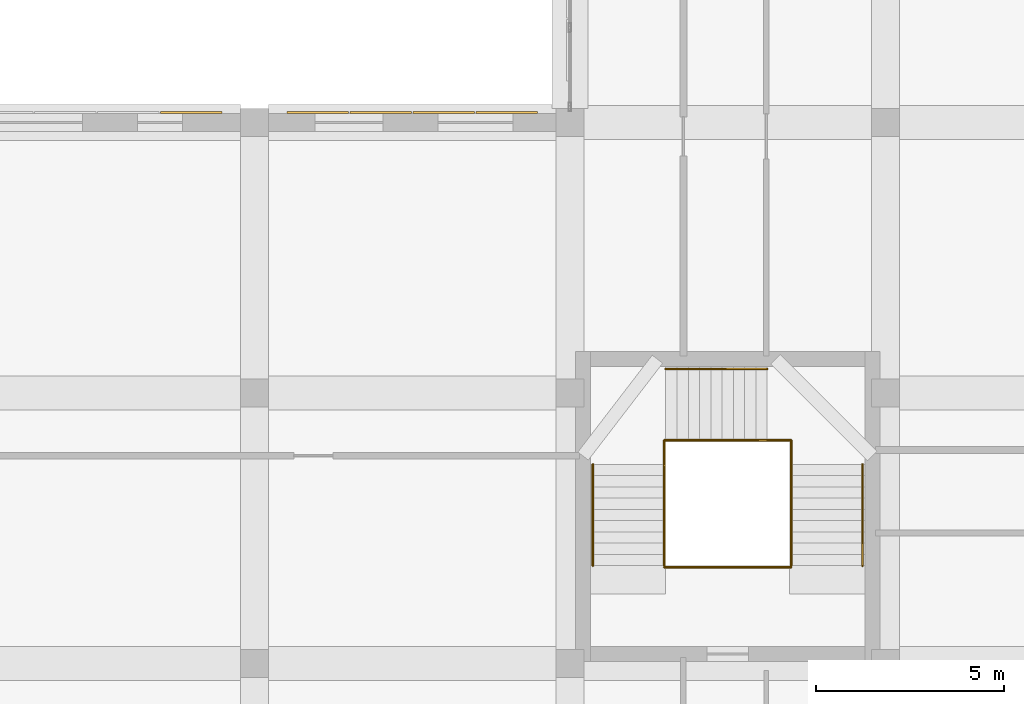
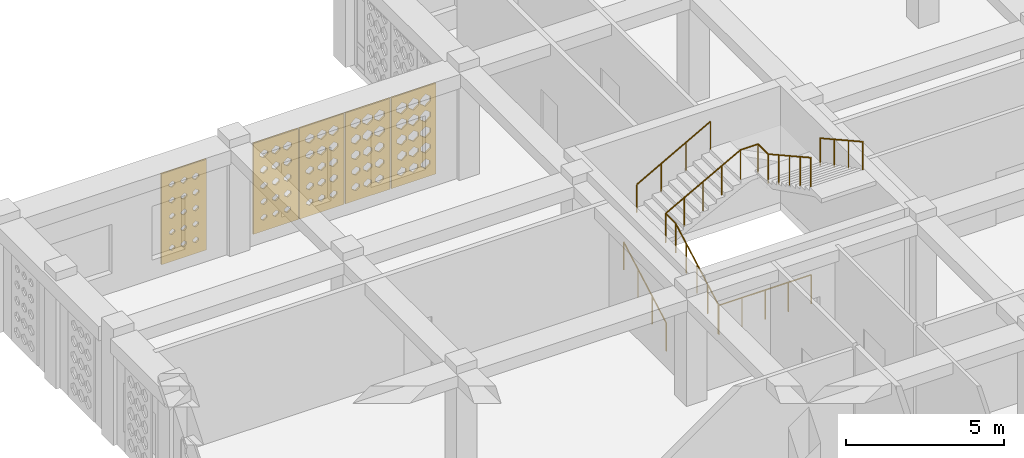
# One storey, part 104 of 121: 7 railings, 5 coverings.
"""IFC4 building model written with IfcOpenShell, lengths in metres."""

from ifc_helpers import new_model, si_unit, derived_unit, direction, frame, origin, origin_2d, place, context, subcontext, project, spatial, polyline, circle, outline, extrude, material, layer, layer_set, type_object, element, save


model = new_model("IFC4")

# Units and contexts
model_context = context("Model", 3, precision=1e-05, world=origin(), true_north=direction((0.0, 1.0)))
body_context = subcontext(model_context, "Body", "Model", "MODEL_VIEW")
ifc_project = project(units=[si_unit("LENGTHUNIT", "METRE"), si_unit("AREAUNIT", "SQUARE_METRE"), si_unit("VOLUMEUNIT", "CUBIC_METRE"), si_unit("PLANEANGLEUNIT", "RADIAN"), si_unit("MASSUNIT", "GRAM", prefix="KILO"), derived_unit("THERMALTRANSMITTANCEUNIT", [(si_unit("POWERUNIT", "WATT"), 1), (si_unit("LENGTHUNIT", "METRE"), -2), (si_unit("THERMODYNAMICTEMPERATUREUNIT", "KELVIN"), -1)])], contexts=[model_context])

# Site, building, storey
site_placement = place(None, origin())
site = spatial("IfcSite", under=ifc_project, at=site_placement, CompositionType="ELEMENT")
building_placement = place(site_placement, origin())
building = spatial("IfcBuilding", under=site, at=building_placement, Name="Veybourne Emporium", CompositionType="ELEMENT")
storey_placement = place(building_placement, frame((0.0, 0.0, 5.39990234375)))
storey = spatial("IfcBuildingStorey", under=building, at=storey_placement, Name="L01", CompositionType="ELEMENT", Elevation=5.39990234375)

# Railings
ifc_material_1 = material(Name="Brushed Stainless Steel", Category="steel")
railing_type_1 = type_object("IfcRailingType", Name="Guard_GR-01", PredefinedType="GUARDRAIL", material=ifc_material_1)
railing_1_placement = place(storey_placement, frame((19.31005859375, 67.39990234375, 0.0)))
element("IfcRailing", 1, at=railing_1_placement, inside=storey, type_object=railing_type_1, Name="L01 ST-08 stair guard 1", PredefinedType="GUARDRAIL", context=body_context, shape_type="SweptSolid", body=[
    extrude(circle(Radius=0.02392578125, at=origin_2d()), frame((0.0, 0.0, 1.1259765625), z_axis=(0.0, 0.874172188743, 0.48561608749), x_axis=(-1.0, 0.0, 0.0)), (0.0, 0.0, 1.0), 3.0888671875),
    extrude(circle(Radius=0.02392578125, at=origin_2d()), frame((0.0, 2.7001953125, 2.6259765625), z_axis=(0.0, 1.0, 0.0), x_axis=(-1.0, 0.0, 0.0)), (0.0, 0.0, 1.0), 0.639892578125),
    extrude(circle(Radius=0.02099609375, at=origin_2d()), origin(), (0.0, 0.0, 1.0), 1.101806640625),
    extrude(circle(Radius=0.02099609375, at=origin_2d()), frame((0.0, 0.675048828125, 0.375)), (0.0, 0.0, 1.0), 1.101806640625),
    extrude(circle(Radius=0.02099609375, at=origin_2d()), frame((0.0, 1.35009765625, 0.75)), (0.0, 0.0, 1.0), 1.101806640625),
    extrude(circle(Radius=0.02099609375, at=origin_2d()), frame((0.0, 2.025146484375, 1.125)), (0.0, 0.0, 1.0), 1.101806640625),
    extrude(circle(Radius=0.02099609375, at=origin_2d()), frame((0.0, 2.7001953125, 1.5)), (0.0, 0.0, 1.0), 1.101806640625),
    extrude(circle(Radius=0.02099609375, at=origin_2d()), frame((0.0, 3.340087890625, 1.5)), (0.0, 0.0, 1.0), 1.101806640625),
])
railing_2_placement = place(storey_placement, frame((19.31005859375, 70.739990234375, 1.5)))
element("IfcRailing", 2, at=railing_2_placement, inside=storey, type_object=railing_type_1, Name="L01 ST-08 stair guard 2", PredefinedType="GUARDRAIL", context=body_context, shape_type="SweptSolid", body=[
    extrude(circle(Radius=0.02392578125, at=origin_2d()), frame((0.0, 0.0, 1.1259765625), z_axis=(0.87715976088, 0.0, 0.480198660861), x_axis=(0.0, 1.0, 0.0)), (0.0, 0.0, 1.0), 3.123779296875),
    extrude(circle(Radius=0.02392578125, at=origin_2d()), frame((2.739990234375, 0.0, 2.6259765625), z_axis=(1.0, 0.0, 0.0), x_axis=(0.0, 1.0, 0.0)), (0.0, 0.0, 1.0), 0.639892578125),
    extrude(circle(Radius=0.02099609375, at=origin_2d()), origin(), (0.0, 0.0, 1.0), 1.101806640625),
    extrude(circle(Radius=0.02099609375, at=origin_2d()), frame((0.68505859375, 0.0, 0.375)), (0.0, 0.0, 1.0), 1.101806640625),
    extrude(circle(Radius=0.02099609375, at=origin_2d()), frame((1.3701171875, 0.0, 0.75)), (0.0, 0.0, 1.0), 1.101806640625),
    extrude(circle(Radius=0.02099609375, at=origin_2d()), frame((2.054931640625, 0.0, 1.125)), (0.0, 0.0, 1.0), 1.101806640625),
    extrude(circle(Radius=0.02099609375, at=origin_2d()), frame((2.739990234375, 0.0, 1.5)), (0.0, 0.0, 1.0), 1.101806640625),
    extrude(circle(Radius=0.02099609375, at=origin_2d()), frame((3.3798828125, 0.0, 1.5)), (0.0, 0.0, 1.0), 1.101806640625),
])
railing_3_placement = place(storey_placement, frame((22.68994140625, 70.739990234375, 3.0)))
element("IfcRailing", 3, at=railing_3_placement, inside=storey, type_object=railing_type_1, Name="L01 ST-08 stair guard 3", PredefinedType="GUARDRAIL", context=body_context, shape_type="SweptSolid", body=[
    extrude(circle(Radius=0.02392578125, at=origin_2d()), frame((0.0, 0.0, 1.1259765625), z_axis=(0.0, -1.0, 0.0), x_axis=(1.0, 0.0, 0.0)), (0.0, 0.0, 1.0), 0.639892578125),
    extrude(circle(Radius=0.02392578125, at=origin_2d()), frame((0.0, -0.639892578125, 1.1259765625), z_axis=(0.0, -0.874172188743, 0.48561608749), x_axis=(1.0, 0.0, 0.0)), (0.0, 0.0, 1.0), 3.0888671875),
    extrude(circle(Radius=0.02099609375, at=origin_2d()), origin(), (0.0, 0.0, 1.0), 1.101806640625),
    extrude(circle(Radius=0.02099609375, at=origin_2d()), frame((0.0, -0.639892578125, 0.0)), (0.0, 0.0, 1.0), 1.101806640625),
    extrude(circle(Radius=0.02099609375, at=origin_2d()), frame((0.0, -1.31494140625, 0.375)), (0.0, 0.0, 1.0), 1.101806640625),
    extrude(circle(Radius=0.02099609375, at=origin_2d()), frame((0.0, -1.989990234375, 0.75)), (0.0, 0.0, 1.0), 1.101806640625),
    extrude(circle(Radius=0.02099609375, at=origin_2d()), frame((0.0, -2.6650390625, 1.125)), (0.0, 0.0, 1.0), 1.101806640625),
    extrude(circle(Radius=0.02099609375, at=origin_2d()), frame((0.0, -3.340087890625, 1.5)), (0.0, 0.0, 1.0), 1.101806640625),
])
railing_4_placement = place(storey_placement, frame((19.31005859375, 67.360107421875, 0.0)))
element("IfcRailing", 4, at=railing_4_placement, inside=storey, type_object=railing_type_1, Name="L01 ST-08 stair guard 4", PredefinedType="GUARDRAIL", context=body_context, shape_type="SweptSolid", body=[
    extrude(circle(Radius=0.02392578125, at=origin_2d()), frame((0.0, 0.0, 1.1259765625), z_axis=(1.0, 0.0, 0.0), x_axis=(0.0, 1.0, 0.0)), (0.0, 0.0, 1.0), 3.3798828125),
    extrude(circle(Radius=0.02099609375, at=origin_2d()), origin(), (0.0, 0.0, 1.0), 1.101806640625),
    extrude(circle(Radius=0.02099609375, at=origin_2d()), frame((0.844970703125, 0.0, 0.0)), (0.0, 0.0, 1.0), 1.101806640625),
    extrude(circle(Radius=0.02099609375, at=origin_2d()), frame((1.68994140625, 0.0, 0.0)), (0.0, 0.0, 1.0), 1.101806640625),
    extrude(circle(Radius=0.02099609375, at=origin_2d()), frame((2.534912109375, 0.0, 0.0)), (0.0, 0.0, 1.0), 1.101806640625),
    extrude(circle(Radius=0.02099609375, at=origin_2d()), frame((3.3798828125, 0.0, 0.0)), (0.0, 0.0, 1.0), 1.101806640625),
])
railing_type_2 = type_object("IfcRailingType", Name="Handrail_HR-01", PredefinedType="HANDRAIL", material=ifc_material_1)
railing_5_placement = place(storey_placement, frame((17.409912109375, 67.39990234375, 0.150146484375)))
element("IfcRailing", 5, at=railing_5_placement, inside=storey, type_object=railing_type_2, Name="L01 ST-08 pitch handrail 1", PredefinedType="HANDRAIL", context=body_context, shape_type="SweptSolid", body=[
    extrude(circle(Radius=0.02392578125, at=origin_2d()), frame((0.0, 0.0, 0.92578125), z_axis=(0.0, 0.874172188743, 0.48561608749), x_axis=(-1.0, 0.0, 0.0)), (0.0, 0.0, 1.0), 3.0888671875),
    extrude(circle(Radius=0.02099609375, at=origin_2d()), frame((0.0, 0.0, -0.14990234375)), (0.0, 0.0, 1.0), 1.0517578125),
    extrude(circle(Radius=0.02099609375, at=origin_2d()), frame((0.0, 0.900146484375, 0.35009765625)), (0.0, 0.0, 1.0), 1.0517578125),
    extrude(circle(Radius=0.02099609375, at=origin_2d()), frame((0.0, 1.800048828125, 0.85009765625)), (0.0, 0.0, 1.0), 1.0517578125),
    extrude(circle(Radius=0.02099609375, at=origin_2d()), frame((0.0, 2.7001953125, 1.35009765625)), (0.0, 0.0, 1.0), 1.0517578125),
])
railing_6_placement = place(storey_placement, frame((19.35009765625, 72.639892578125, 1.650146484375)))
element("IfcRailing", 6, at=railing_6_placement, inside=storey, type_object=railing_type_2, Name="L01 ST-08 pitch handrail 2", PredefinedType="HANDRAIL", context=body_context, shape_type="SweptSolid", body=[
    extrude(circle(Radius=0.02392578125, at=origin_2d()), frame((0.0, 0.0, 0.92578125), z_axis=(0.87415354758, 0.0, 0.485649642493), x_axis=(0.0, 1.0, 0.0)), (0.0, 0.0, 1.0), 3.088623046875),
    extrude(circle(Radius=0.02099609375, at=origin_2d()), frame((0.0, 0.0, -0.14990234375)), (0.0, 0.0, 1.0), 1.0517578125),
    extrude(circle(Radius=0.02099609375, at=origin_2d()), frame((0.89990234375, 0.0, 0.35009765625)), (0.0, 0.0, 1.0), 1.0517578125),
    extrude(circle(Radius=0.02099609375, at=origin_2d()), frame((1.800048828125, 0.0, 0.85009765625)), (0.0, 0.0, 1.0), 1.0517578125),
    extrude(circle(Radius=0.02099609375, at=origin_2d()), frame((2.699951171875, 0.0, 1.35009765625)), (0.0, 0.0, 1.0), 1.0517578125),
])
railing_7_placement = place(storey_placement, frame((24.590087890625, 70.10009765625, 3.150146484375)))
element("IfcRailing", 7, at=railing_7_placement, inside=storey, type_object=railing_type_2, Name="L01 ST-08 pitch handrail 3", PredefinedType="HANDRAIL", context=body_context, shape_type="SweptSolid", body=[
    extrude(circle(Radius=0.02392578125, at=origin_2d()), frame((0.0, 0.0, 0.92578125), z_axis=(0.0, -0.874172188743, 0.48561608749), x_axis=(1.0, 0.0, 0.0)), (0.0, 0.0, 1.0), 3.0888671875),
    extrude(circle(Radius=0.02099609375, at=origin_2d()), frame((0.0, 0.0, -0.14990234375)), (0.0, 0.0, 1.0), 1.0517578125),
    extrude(circle(Radius=0.02099609375, at=origin_2d()), frame((0.0, -0.900146484375, 0.35009765625)), (0.0, 0.0, 1.0), 1.0517578125),
    extrude(circle(Radius=0.02099609375, at=origin_2d()), frame((0.0, -1.800048828125, 0.85009765625)), (0.0, 0.0, 1.0), 1.0517578125),
    extrude(circle(Radius=0.02099609375, at=origin_2d()), frame((0.0, -2.7001953125, 1.35009765625)), (0.0, 0.0, 1.0), 1.0517578125),
])

# Coverings
ifc_material_2 = material(Name="Warm-White Perforated Aluminium Screen Alloy", Category="aluminium")
ifc_layer_1 = layer(ifc_material_2, 0.06005859375)
ifc_layer_set_1 = layer_set([ifc_layer_1], Name="Warm-White Perforated Aluminium Screen Alloy")
covering_type_1 = type_object("IfcCoveringType", Name="WaveScreen_SCR-01", PredefinedType="CLADDING", material=ifc_layer_set_1)
covering_1_placement = place(storey_placement, frame((11.760009765625, 79.498046875, 1.815185546875), z_axis=(0.0, -1.0, 0.0), x_axis=(1.0, 0.0, 0.0)))
element("IfcCovering", 8, at=covering_1_placement, inside=storey, type_object=covering_type_1, Name="L01 wave-perforated aluminium screen SCR-01 (13.2)", PredefinedType="CLADDING", context=body_context, shape_type="SweptSolid", body=[
    extrude(outline(polyline([(-0.81982421875, -1.7548828125), (0.81982421875, -1.7548828125), (0.81982421875, 1.7548828125), (-0.81982421875, 1.7548828125), (-0.81982421875, -1.7548828125)]), holes=[polyline([(-0.433349609375, -1.096435546875), (-0.315673828125, -1.1806640625), (-0.315673828125, -1.275390625), (-0.433349609375, -1.359619140625), (-0.551025390625, -1.275390625), (-0.551025390625, -1.1806640625), (-0.433349609375, -1.096435546875)]), polyline([(-0.433349609375, -0.471923828125), (-0.30712890625, -0.56298828125), (-0.30712890625, -0.6650390625), (-0.433349609375, -0.756103515625), (-0.5595703125, -0.6650390625), (-0.5595703125, -0.56298828125), (-0.433349609375, -0.471923828125)]), polyline([(-0.433349609375, 0.15380859375), (-0.29736328125, 0.055419921875), (-0.29736328125, -0.055419921875), (-0.433349609375, -0.15380859375), (-0.5693359375, -0.055419921875), (-0.5693359375, 0.055419921875), (-0.433349609375, 0.15380859375)]), polyline([(-0.433349609375, 0.781005859375), (-0.28662109375, 0.674072265625), (-0.28662109375, 0.553955078125), (-0.433349609375, 0.447021484375), (-0.580078125, 0.553955078125), (-0.580078125, 0.674072265625), (-0.433349609375, 0.781005859375)]), polyline([(-0.433349609375, 1.40869140625), (-0.275390625, 1.293212890625), (-0.275390625, 1.162841796875), (-0.433349609375, 1.047119140625), (-0.59130859375, 1.162841796875), (-0.59130859375, 1.293212890625), (-0.433349609375, 1.40869140625)]), polyline([(0.0, -1.091796875), (0.121337890625, -1.178955078125), (0.121337890625, -1.277099609375), (0.0, -1.364013671875), (-0.121337890625, -1.277099609375), (-0.121337890625, -1.178955078125), (0.0, -1.091796875)]), polyline([(0.0, -0.466796875), (0.130615234375, -0.56103515625), (0.130615234375, -0.6669921875), (0.0, -0.76123046875), (-0.130615234375, -0.6669921875), (-0.130615234375, -0.56103515625), (0.0, -0.466796875)]), polyline([(0.0, 0.15966796875), (0.140625, 0.0576171875), (0.140625, -0.0576171875), (0.0, -0.15966796875), (-0.140625, -0.0576171875), (-0.140625, 0.0576171875), (0.0, 0.15966796875)]), polyline([(0.0, 0.787109375), (0.151611328125, 0.67626953125), (0.151611328125, 0.5517578125), (0.0, 0.44091796875), (-0.151611328125, 0.5517578125), (-0.151611328125, 0.67626953125), (0.0, 0.787109375)]), polyline([(0.0, 1.415283203125), (0.1630859375, 1.29541015625), (0.1630859375, 1.16064453125), (0.0, 1.040771484375), (-0.1630859375, 1.16064453125), (-0.1630859375, 1.29541015625), (0.0, 1.415283203125)]), polyline([(0.433349609375, -1.0869140625), (0.55859375, -1.17724609375), (0.55859375, -1.27880859375), (0.433349609375, -1.368896484375), (0.30810546875, -1.27880859375), (0.30810546875, -1.17724609375), (0.433349609375, -1.0869140625)]), polyline([(0.433349609375, -0.461181640625), (0.568359375, -0.55908203125), (0.568359375, -0.6689453125), (0.433349609375, -0.766845703125), (0.29833984375, -0.6689453125), (0.29833984375, -0.55908203125), (0.433349609375, -0.461181640625)]), polyline([(0.433349609375, 0.165771484375), (0.578857421875, 0.059814453125), (0.578857421875, -0.059814453125), (0.433349609375, -0.165771484375), (0.28759765625, -0.059814453125), (0.28759765625, 0.059814453125), (0.433349609375, 0.165771484375)]), polyline([(0.433349609375, 0.79345703125), (0.590087890625, 0.6787109375), (0.590087890625, 0.54931640625), (0.433349609375, 0.4345703125), (0.276611328125, 0.54931640625), (0.276611328125, 0.6787109375), (0.433349609375, 0.79345703125)]), polyline([(0.433349609375, 1.421630859375), (0.601806640625, 1.297607421875), (0.601806640625, 1.158203125), (0.433349609375, 1.034423828125), (0.264892578125, 1.158203125), (0.264892578125, 1.297607421875), (0.433349609375, 1.421630859375)])]), origin(), (0.0, 0.0, 1.0), 0.06005859375),
])
ifc_layer_2 = layer(ifc_material_2, 0.06005859375)
ifc_layer_set_2 = layer_set([ifc_layer_2], Name="Warm-White Perforated Aluminium Screen Alloy")
covering_type_2 = type_object("IfcCoveringType", Name="WaveScreen_SCR-02", PredefinedType="CLADDING", material=ifc_layer_set_2)
covering_2_placement = place(storey_placement, frame((13.43994140625, 79.498046875, 1.815185546875), z_axis=(0.0, -1.0, 0.0), x_axis=(1.0, 0.0, 0.0)))
element("IfcCovering", 9, at=covering_2_placement, inside=storey, type_object=covering_type_2, Name="L01 wave-perforated aluminium screen SCR-02 (13.3)", PredefinedType="CLADDING", context=body_context, shape_type="SweptSolid", body=[
    extrude(outline(polyline([(-0.81982421875, -1.7548828125), (0.81982421875, -1.7548828125), (0.81982421875, 1.7548828125), (-0.81982421875, 1.7548828125), (-0.81982421875, -1.7548828125)]), holes=[polyline([(-0.433349609375, -1.076904296875), (-0.2998046875, -1.173583984375), (-0.2998046875, -1.2822265625), (-0.433349609375, -1.37890625), (-0.56689453125, -1.2822265625), (-0.56689453125, -1.173583984375), (-0.433349609375, -1.076904296875)]), polyline([(-0.433349609375, -0.4501953125), (-0.289306640625, -0.554931640625), (-0.289306640625, -0.673095703125), (-0.433349609375, -0.77783203125), (-0.577392578125, -0.673095703125), (-0.577392578125, -0.554931640625), (-0.433349609375, -0.4501953125)]), polyline([(-0.433349609375, 0.177490234375), (-0.2783203125, 0.06396484375), (-0.2783203125, -0.06396484375), (-0.433349609375, -0.177490234375), (-0.58837890625, -0.06396484375), (-0.58837890625, 0.06396484375), (-0.433349609375, 0.177490234375)]), polyline([(-0.433349609375, 0.805419921875), (-0.2666015625, 0.682861328125), (-0.2666015625, 0.545166015625), (-0.433349609375, 0.422607421875), (-0.60009765625, 0.545166015625), (-0.60009765625, 0.682861328125), (-0.433349609375, 0.805419921875)]), polyline([(-0.433349609375, 1.43359375), (-0.255126953125, 1.302001953125), (-0.255126953125, 1.154052734375), (-0.433349609375, 1.0224609375), (-0.611572265625, 1.154052734375), (-0.611572265625, 1.302001953125), (-0.433349609375, 1.43359375)]), polyline([(0.0, -1.0712890625), (0.13818359375, -1.171630859375), (0.13818359375, -1.284423828125), (0.0, -1.384521484375), (-0.13818359375, -1.284423828125), (-0.13818359375, -1.171630859375), (0.0, -1.0712890625)]), polyline([(0.0, -0.444091796875), (0.14892578125, -0.552734375), (0.14892578125, -0.67529296875), (0.0, -0.783935546875), (-0.14892578125, -0.67529296875), (-0.14892578125, -0.552734375), (0.0, -0.444091796875)]), polyline([(0.0, 0.183837890625), (0.160400390625, 0.066162109375), (0.160400390625, -0.066162109375), (0.0, -0.183837890625), (-0.160400390625, -0.066162109375), (-0.160400390625, 0.066162109375), (0.0, 0.183837890625)]), polyline([(0.0, 0.81201171875), (0.172119140625, 0.685302734375), (0.172119140625, 0.542724609375), (0.0, 0.416015625), (-0.172119140625, 0.542724609375), (-0.172119140625, 0.685302734375), (0.0, 0.81201171875)]), polyline([(0.0, 1.43994140625), (0.183349609375, 1.30419921875), (0.183349609375, 1.151611328125), (0.0, 1.01611328125), (-0.183349609375, 1.151611328125), (-0.183349609375, 1.30419921875), (0.0, 1.43994140625)]), polyline([(0.433349609375, -1.0654296875), (0.576416015625, -1.16943359375), (0.576416015625, -1.28662109375), (0.433349609375, -1.390380859375), (0.290283203125, -1.28662109375), (0.290283203125, -1.16943359375), (0.433349609375, -1.0654296875)]), polyline([(0.433349609375, -0.43798828125), (0.58740234375, -0.550537109375), (0.58740234375, -0.677490234375), (0.433349609375, -0.7900390625), (0.279296875, -0.677490234375), (0.279296875, -0.550537109375), (0.433349609375, -0.43798828125)]), polyline([(0.433349609375, 0.190185546875), (0.598876953125, 0.068603515625), (0.598876953125, -0.068603515625), (0.433349609375, -0.190185546875), (0.267578125, -0.068603515625), (0.267578125, 0.068603515625), (0.433349609375, 0.190185546875)]), polyline([(0.433349609375, 0.818359375), (0.610595703125, 0.6875), (0.610595703125, 0.540283203125), (0.433349609375, 0.40966796875), (0.256103515625, 0.540283203125), (0.256103515625, 0.6875), (0.433349609375, 0.818359375)]), polyline([(0.433349609375, 1.446044921875), (0.61962890625, 1.306396484375), (0.61962890625, 1.1494140625), (0.433349609375, 1.010009765625), (0.2470703125, 1.1494140625), (0.2470703125, 1.306396484375), (0.433349609375, 1.446044921875)])]), origin(), (0.0, 0.0, 1.0), 0.06005859375),
])
ifc_layer_3 = layer(ifc_material_2, 0.06005859375)
ifc_layer_set_3 = layer_set([ifc_layer_3], Name="Warm-White Perforated Aluminium Screen Alloy")
covering_type_3 = type_object("IfcCoveringType", Name="WaveScreen_SCR-03", PredefinedType="CLADDING", material=ifc_layer_set_3)
covering_3_placement = place(storey_placement, frame((15.1201171875, 79.498046875, 1.815185546875), z_axis=(0.0, -1.0, 0.0), x_axis=(1.0, 0.0, 0.0)))
element("IfcCovering", 10, at=covering_3_placement, inside=storey, type_object=covering_type_3, Name="L01 wave-perforated aluminium screen SCR-03 (13.4)", PredefinedType="CLADDING", context=body_context, shape_type="SweptSolid", body=[
    extrude(outline(polyline([(-0.81982421875, -1.7548828125), (0.81982421875, -1.7548828125), (0.81982421875, 1.7548828125), (-0.81982421875, 1.7548828125), (-0.81982421875, -1.7548828125)]), holes=[polyline([(-0.433349609375, -1.053955078125), (-0.281005859375, -1.165283203125), (-0.281005859375, -1.290771484375), (-0.433349609375, -1.402099609375), (-0.585693359375, -1.290771484375), (-0.585693359375, -1.165283203125), (-0.433349609375, -1.053955078125)]), polyline([(-0.433349609375, -0.42578125), (-0.269287109375, -0.54638671875), (-0.269287109375, -0.681640625), (-0.433349609375, -0.802001953125), (-0.59716796875, -0.681640625), (-0.59716796875, -0.54638671875), (-0.433349609375, -0.42578125)]), polyline([(-0.433349609375, 0.202392578125), (-0.2578125, 0.07275390625), (-0.2578125, -0.07275390625), (-0.433349609375, -0.202392578125), (-0.60888671875, -0.07275390625), (-0.60888671875, 0.07275390625), (-0.433349609375, 0.202392578125)]), polyline([(-0.433349609375, 0.830078125), (-0.2470703125, 0.69189453125), (-0.2470703125, 0.5361328125), (-0.433349609375, 0.39794921875), (-0.61962890625, 0.5361328125), (-0.61962890625, 0.69189453125), (-0.433349609375, 0.830078125)]), polyline([(-0.433349609375, 1.457275390625), (-0.2470703125, 1.310546875), (-0.2470703125, 1.1455078125), (-0.433349609375, 0.998779296875), (-0.61962890625, 1.1455078125), (-0.61962890625, 1.310546875), (-0.433349609375, 1.457275390625)]), polyline([(0.0, -1.047607421875), (0.15771484375, -1.1630859375), (0.15771484375, -1.29296875), (0.0, -1.408447265625), (-0.15771484375, -1.29296875), (-0.15771484375, -1.1630859375), (0.0, -1.047607421875)]), polyline([(0.0, -0.41943359375), (0.169189453125, -0.5439453125), (0.169189453125, -0.68408203125), (0.0, -0.80859375), (-0.169189453125, -0.68408203125), (-0.169189453125, -0.5439453125), (0.0, -0.41943359375)]), polyline([(0.0, 0.20849609375), (0.1806640625, 0.0751953125), (0.1806640625, -0.0751953125), (0.0, -0.20849609375), (-0.1806640625, -0.0751953125), (-0.1806640625, 0.0751953125), (0.0, 0.20849609375)]), polyline([(0.0, 0.836181640625), (0.186279296875, 0.694091796875), (0.186279296875, 0.533935546875), (0.0, 0.391845703125), (-0.186279296875, 0.533935546875), (-0.186279296875, 0.694091796875), (0.0, 0.836181640625)]), polyline([(0.0, 1.462890625), (0.186279296875, 1.3125), (0.186279296875, 1.143310546875), (0.0, 0.9931640625), (-0.186279296875, 1.143310546875), (-0.186279296875, 1.3125), (0.0, 1.462890625)]), polyline([(0.433349609375, -1.041259765625), (0.59619140625, -1.160888671875), (0.59619140625, -1.295166015625), (0.433349609375, -1.414794921875), (0.2705078125, -1.295166015625), (0.2705078125, -1.160888671875), (0.433349609375, -1.041259765625)]), polyline([(0.433349609375, -0.4130859375), (0.607666015625, -0.541748046875), (0.607666015625, -0.686279296875), (0.433349609375, -0.81494140625), (0.2587890625, -0.686279296875), (0.2587890625, -0.541748046875), (0.433349609375, -0.4130859375)]), polyline([(0.433349609375, 0.21484375), (0.619140625, 0.077392578125), (0.619140625, -0.077392578125), (0.433349609375, -0.21484375), (0.24755859375, -0.077392578125), (0.24755859375, 0.077392578125), (0.433349609375, 0.21484375)]), polyline([(0.433349609375, 0.842041015625), (0.61962890625, 0.696044921875), (0.61962890625, 0.531982421875), (0.433349609375, 0.385986328125), (0.2470703125, 0.531982421875), (0.2470703125, 0.696044921875), (0.433349609375, 0.842041015625)]), polyline([(0.433349609375, 1.46826171875), (0.61962890625, 1.314453125), (0.61962890625, 1.1416015625), (0.433349609375, 0.98779296875), (0.2470703125, 1.1416015625), (0.2470703125, 1.314453125), (0.433349609375, 1.46826171875)])]), origin(), (0.0, 0.0, 1.0), 0.06005859375),
])
ifc_layer_4 = layer(ifc_material_2, 0.06005859375)
ifc_layer_set_4 = layer_set([ifc_layer_4], Name="Warm-White Perforated Aluminium Screen Alloy")
covering_type_4 = type_object("IfcCoveringType", Name="WaveScreen_SCR-04", PredefinedType="CLADDING", material=ifc_layer_set_4)
covering_4_placement = place(storey_placement, frame((6.719970703125, 79.498046875, 1.815185546875), z_axis=(0.0, -1.0, 0.0), x_axis=(1.0, 0.0, 0.0)))
element("IfcCovering", 11, at=covering_4_placement, inside=storey, type_object=covering_type_4, Name="L01 wave-perforated aluminium screen SCR-04 (10.4)", PredefinedType="CLADDING", context=body_context, shape_type="SweptSolid", body=[
    extrude(outline(polyline([(-0.81982421875, -1.7548828125), (0.81982421875, -1.7548828125), (0.81982421875, 1.7548828125), (-0.81982421875, 1.7548828125), (-0.81982421875, -1.7548828125)]), holes=[polyline([(-0.433349609375, -1.116943359375), (-0.33251953125, -1.18798828125), (-0.33251953125, -1.26806640625), (-0.433349609375, -1.339111328125), (-0.5341796875, -1.26806640625), (-0.5341796875, -1.18798828125), (-0.433349609375, -1.116943359375)]), polyline([(-0.433349609375, -0.50390625), (-0.333251953125, -0.574462890625), (-0.333251953125, -0.653564453125), (-0.433349609375, -0.72412109375), (-0.533203125, -0.653564453125), (-0.533203125, -0.574462890625), (-0.433349609375, -0.50390625)]), polyline([(-0.433349609375, 0.111328125), (-0.332275390625, 0.0400390625), (-0.332275390625, -0.0400390625), (-0.433349609375, -0.111328125), (-0.534423828125, -0.0400390625), (-0.534423828125, 0.0400390625), (-0.433349609375, 0.111328125)]), polyline([(-0.433349609375, 0.72900390625), (-0.329345703125, 0.655517578125), (-0.329345703125, 0.572509765625), (-0.433349609375, 0.4990234375), (-0.537353515625, 0.572509765625), (-0.537353515625, 0.655517578125), (-0.433349609375, 0.72900390625)]), polyline([(-0.433349609375, 1.34912109375), (-0.324462890625, 1.271484375), (-0.324462890625, 1.1845703125), (-0.433349609375, 1.10693359375), (-0.542236328125, 1.1845703125), (-0.542236328125, 1.271484375), (-0.433349609375, 1.34912109375)]), polyline([(0.0, -1.11767578125), (0.100341796875, -1.188232421875), (0.100341796875, -1.267578125), (0.0, -1.33837890625), (-0.100341796875, -1.267578125), (-0.100341796875, -1.188232421875), (0.0, -1.11767578125)]), polyline([(0.0, -0.503662109375), (0.10009765625, -0.57421875), (0.10009765625, -0.65380859375), (0.0, -0.724365234375), (-0.10009765625, -0.65380859375), (-0.10009765625, -0.57421875), (0.0, -0.503662109375)]), polyline([(0.0, 0.11279296875), (0.102294921875, 0.04052734375), (0.102294921875, -0.04052734375), (0.0, -0.11279296875), (-0.102294921875, -0.04052734375), (-0.102294921875, 0.04052734375), (0.0, 0.11279296875)]), polyline([(0.0, 0.7314453125), (0.106201171875, 0.65625), (0.106201171875, 0.57177734375), (0.0, 0.49658203125), (-0.106201171875, 0.57177734375), (-0.106201171875, 0.65625), (0.0, 0.7314453125)]), polyline([(0.0, 1.352294921875), (0.11181640625, 1.272705078125), (0.11181640625, 1.18310546875), (0.0, 1.103515625), (-0.11181640625, 1.18310546875), (-0.11181640625, 1.272705078125), (0.0, 1.352294921875)]), polyline([(0.433349609375, -1.117919921875), (0.533203125, -1.1884765625), (0.533203125, -1.267578125), (0.433349609375, -1.337890625), (0.333251953125, -1.267578125), (0.333251953125, -1.1884765625), (0.433349609375, -1.117919921875)]), polyline([(0.433349609375, -0.5029296875), (0.5341796875, -0.573974609375), (0.5341796875, -0.654052734375), (0.433349609375, -0.72509765625), (0.33251953125, -0.654052734375), (0.33251953125, -0.573974609375), (0.433349609375, -0.5029296875)]), polyline([(0.433349609375, 0.114501953125), (0.537109375, 0.041259765625), (0.537109375, -0.041259765625), (0.433349609375, -0.114501953125), (0.32958984375, -0.041259765625), (0.32958984375, 0.041259765625), (0.433349609375, 0.114501953125)]), polyline([(0.433349609375, 0.734375), (0.541748046875, 0.6572265625), (0.541748046875, 0.57080078125), (0.433349609375, 0.49365234375), (0.324951171875, 0.57080078125), (0.324951171875, 0.6572265625), (0.433349609375, 0.734375)]), polyline([(0.433349609375, 1.356201171875), (0.548095703125, 1.274169921875), (0.548095703125, 1.181884765625), (0.433349609375, 1.099853515625), (0.318359375, 1.181884765625), (0.318359375, 1.274169921875), (0.433349609375, 1.356201171875)])]), origin(), (0.0, 0.0, 1.0), 0.06005859375),
])
covering_5_placement = place(storey_placement, frame((10.080078125, 79.498046875, 1.815185546875), z_axis=(0.0, -1.0, 0.0), x_axis=(1.0, 0.0, 0.0)))
element("IfcCovering", 12, at=covering_5_placement, inside=storey, type_object=covering_type_4, Name="L01 wave-perforated aluminium screen SCR-04 (13.1)", PredefinedType="CLADDING", context=body_context, shape_type="SweptSolid", body=[
    extrude(outline(polyline([(-0.81982421875, -1.7548828125), (0.81982421875, -1.7548828125), (0.81982421875, 1.7548828125), (-0.81982421875, 1.7548828125), (-0.81982421875, -1.7548828125)]), holes=[polyline([(-0.433349609375, -1.110107421875), (-0.326904296875, -1.185546875), (-0.326904296875, -1.2705078125), (-0.433349609375, -1.345703125), (-0.539794921875, -1.2705078125), (-0.539794921875, -1.185546875), (-0.433349609375, -1.110107421875)]), polyline([(-0.433349609375, -0.489013671875), (-0.3212890625, -0.569091796875), (-0.3212890625, -0.658935546875), (-0.433349609375, -0.739013671875), (-0.54541015625, -0.658935546875), (-0.54541015625, -0.569091796875), (-0.433349609375, -0.489013671875)]), polyline([(-0.433349609375, 0.134033203125), (-0.313720703125, 0.048095703125), (-0.313720703125, -0.048095703125), (-0.433349609375, -0.134033203125), (-0.552978515625, -0.048095703125), (-0.552978515625, 0.048095703125), (-0.433349609375, 0.134033203125)]), polyline([(-0.433349609375, 0.7587890625), (-0.304931640625, 0.666015625), (-0.304931640625, 0.56201171875), (-0.433349609375, 0.46923828125), (-0.561767578125, 0.56201171875), (-0.561767578125, 0.666015625), (-0.433349609375, 0.7587890625)]), polyline([(-0.433349609375, 1.385009765625), (-0.294921875, 1.284423828125), (-0.294921875, 1.17138671875), (-0.433349609375, 1.071044921875), (-0.57177734375, 1.17138671875), (-0.57177734375, 1.284423828125), (-0.433349609375, 1.385009765625)]), polyline([(0.0, -1.107177734375), (0.10888671875, -1.1845703125), (0.10888671875, -1.271484375), (0.0, -1.348876953125), (-0.10888671875, -1.271484375), (-0.10888671875, -1.1845703125), (0.0, -1.107177734375)]), polyline([(0.0, -0.485107421875), (0.115478515625, -0.567626953125), (0.115478515625, -0.660400390625), (0.0, -0.742919921875), (-0.115478515625, -0.660400390625), (-0.115478515625, -0.567626953125), (0.0, -0.485107421875)]), polyline([(0.0, 0.138671875), (0.12353515625, 0.0498046875), (0.12353515625, -0.0498046875), (0.0, -0.138671875), (-0.12353515625, -0.0498046875), (-0.12353515625, 0.0498046875), (0.0, 0.138671875)]), polyline([(0.0, 0.76416015625), (0.1328125, 0.668212890625), (0.1328125, 0.559814453125), (0.0, 0.4638671875), (-0.1328125, 0.559814453125), (-0.1328125, 0.668212890625), (0.0, 0.76416015625)]), polyline([(0.0, 1.390869140625), (0.143310546875, 1.28662109375), (0.143310546875, 1.16943359375), (0.0, 1.065185546875), (-0.143310546875, 1.16943359375), (-0.143310546875, 1.28662109375), (0.0, 1.390869140625)]), polyline([(0.433349609375, -1.10400390625), (0.544921875, -1.183349609375), (0.544921875, -1.272705078125), (0.433349609375, -1.35205078125), (0.32177734375, -1.272705078125), (0.32177734375, -1.183349609375), (0.433349609375, -1.10400390625)]), polyline([(0.433349609375, -0.48095703125), (0.55224609375, -0.566162109375), (0.55224609375, -0.661865234375), (0.433349609375, -0.7470703125), (0.314453125, -0.661865234375), (0.314453125, -0.566162109375), (0.433349609375, -0.48095703125)]), polyline([(0.433349609375, 0.143798828125), (0.560791015625, 0.0517578125), (0.560791015625, -0.0517578125), (0.433349609375, -0.143798828125), (0.3056640625, -0.0517578125), (0.3056640625, 0.0517578125), (0.433349609375, 0.143798828125)]), polyline([(0.433349609375, 0.769775390625), (0.57080078125, 0.670166015625), (0.57080078125, 0.557861328125), (0.433349609375, 0.458251953125), (0.2958984375, 0.557861328125), (0.2958984375, 0.670166015625), (0.433349609375, 0.769775390625)]), polyline([(0.433349609375, 1.39697265625), (0.58154296875, 1.288818359375), (0.58154296875, 1.167236328125), (0.433349609375, 1.05908203125), (0.28515625, 1.167236328125), (0.28515625, 1.288818359375), (0.433349609375, 1.39697265625)])]), origin(), (0.0, 0.0, 1.0), 0.06005859375),
])

save(model, "model.ifc")
